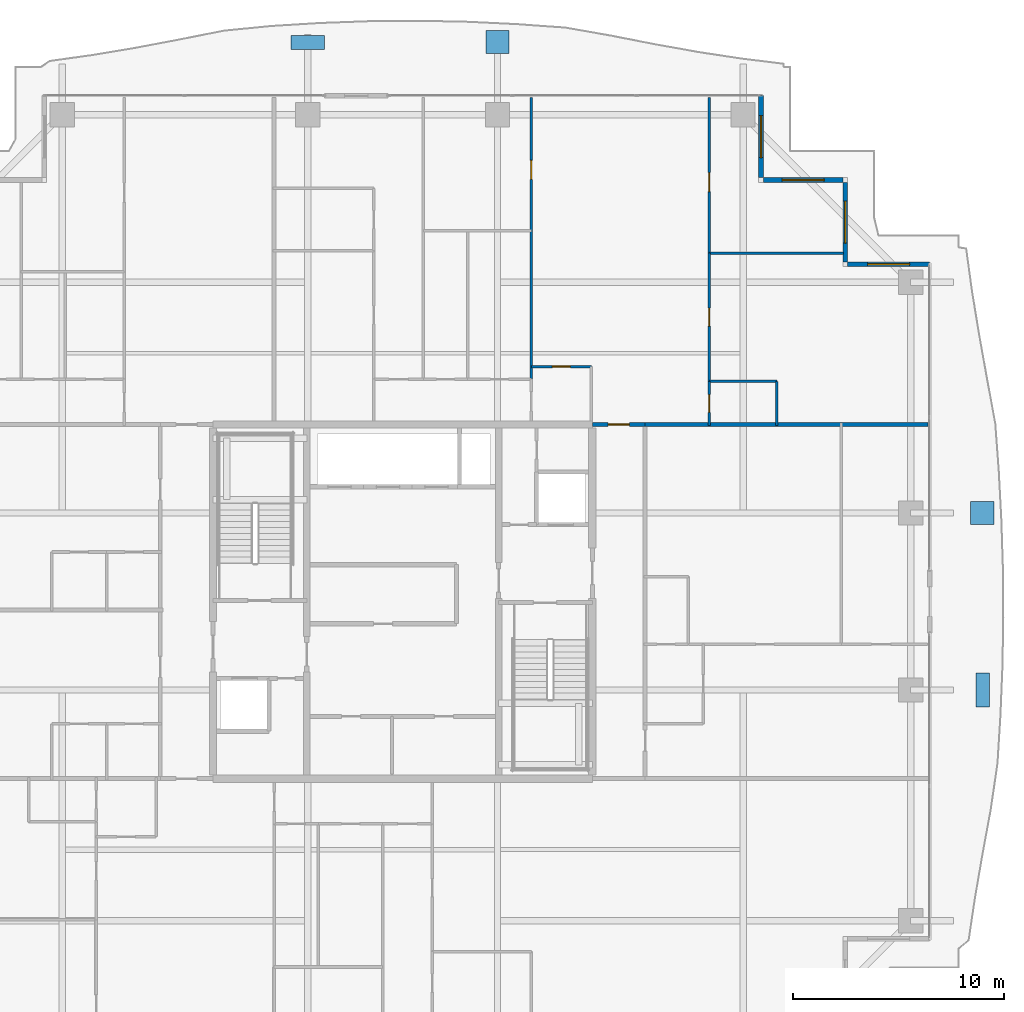
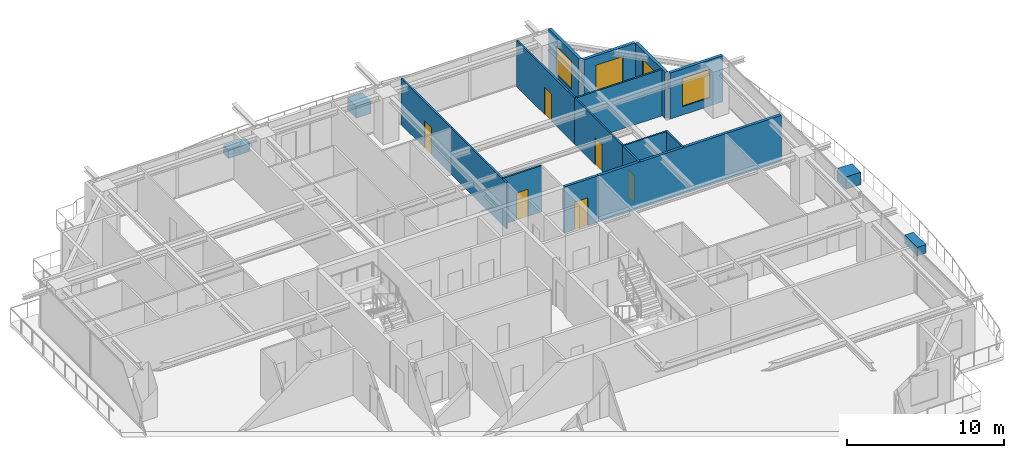
# One storey, part 30 of 37: 15 walls, 6 doors, 4 discrete accessories, 4 windows, 10 openings.
"""IFC4 building model written with IfcOpenShell, lengths in metres."""

from ifc_helpers import new_model, si_unit, direction, frame, frame_2d, origin, origin_2d, place, context, subcontext, project, spatial, rectangle, extrude, source, transform, mapped, material, layer, layer_set, type_object, element, fill, save


model = new_model("IFC4")

# Units and contexts
model_context = context("Model", 3, precision=1e-05, world=origin(), true_north=direction((0.0, 1.0)))
body_context = subcontext(model_context, "Body", "Model", "MODEL_VIEW")
ifc_project = project(units=[si_unit("LENGTHUNIT", "METRE"), si_unit("AREAUNIT", "SQUARE_METRE"), si_unit("VOLUMEUNIT", "CUBIC_METRE"), si_unit("PLANEANGLEUNIT", "RADIAN"), si_unit("MASSUNIT", "GRAM", prefix="KILO")], contexts=[model_context])

# Site, building, storey
site_placement = place(None, origin())
site = spatial("IfcSite", under=ifc_project, at=site_placement, CompositionType="ELEMENT")
building_placement = place(site_placement, origin())
building = spatial("IfcBuilding", under=site, at=building_placement, Name="Serunith Strait Residences", CompositionType="ELEMENT")
storey_placement = place(building_placement, frame((0.0, 0.0, 248.949951171875)))
storey = spatial("IfcBuildingStorey", under=building, at=storey_placement, Name="L62", CompositionType="ELEMENT", Elevation=248.949951171875)

# Wall, opening, window
ifc_material_1 = material(Name="Pale-Champagne Aluminium Insulated Panel", Category="aluminium")
ifc_layer_1 = layer(ifc_material_1, 0.219970703125, Name="Pale-Champagne Aluminium Insulated Panel")
ifc_layer_set_1 = layer_set([ifc_layer_1], Name="Pale-Champagne Aluminium Insulated Panel")
wall_type_1 = type_object("IfcWallType", Name="EW-ALUM-220", PredefinedType="ELEMENTEDWALL", material=ifc_layer_set_1)
wall_1_placement = place(storey_placement, frame((57.39990234375, 41.199951171875, 0.0), z_axis=(0.0, 0.0, 1.0), x_axis=(-1.0, 0.0, 0.0)))
wall_1 = element("IfcWall", 1, at=wall_1_placement, inside=storey, type_object=wall_type_1, Name="L62 Girih Serrated Corner Wall 07", PredefinedType="ELEMENTEDWALL", context=body_context, shape_type="SweptSolid", body=[
    extrude(rectangle(XDim=3.889892578125, YDim=0.219970703125, at=frame_2d((1.94482421875, 0.0))), origin(), (0.0, 0.0, 1.0), 3.574951171875),
])
opening_1_placement = place(wall_1_placement, frame((0.945068359375, 0.0, 0.64990234375)))
opening_1 = element("IfcOpeningElement", 2, at=opening_1_placement, cuts=wall_1, Name="Opening W-04", PredefinedType="OPENING", context=body_context, shape_type="SweptSolid", body=[
    extrude(rectangle(XDim=2.0, YDim=2.199951171875, at=frame_2d((1.0, 1.10009765625))), frame((0.0, 0.1201171875, 0.0), z_axis=(0.0, -1.0, 0.0), x_axis=(1.0, 0.0, 0.0)), (0.0, 0.0, 1.0), 0.239990234375),
])
ifc_material_2 = material(Name="Ceramic-Fritted Operable Aluminium Window Glass", Category="aluminium")
window_type = type_object("IfcWindowType", Name="WIN-C4", PartitioningType="TRIPLE_PANEL_VERTICAL", PredefinedType="WINDOW", material=ifc_material_2)
shared_shape_1 = source(origin(), body_context, "Body", "SweptSolid", [
    extrude(rectangle(XDim=2.0, YDim=2.199951171875, at=frame_2d((1.0, 1.10009765625))), frame((0.0, 0.030029296875, 0.0), z_axis=(0.0, -1.0, 0.0), x_axis=(1.0, 0.0, 0.0)), (0.0, 0.0, 1.0), 0.06005859375),
])
window_1_placement = place(opening_1_placement, origin())
window_1 = element("IfcWindow", 3, at=window_1_placement, inside=storey, type_object=window_type, Name="L62 Corner Operable Fritted Window 07", OverallHeight=2.199951171875, OverallWidth=2.0, PartitioningType="SINGLE_PANEL", PredefinedType="WINDOW", context=body_context, shape_type="MappedRepresentation", body=[
    mapped(shared_shape_1, transform((0.0, 0.0, 0.0), scale=1.0)),
])
fill(opening_1, window_1)

wall_2_placement = place(storey_placement, frame((53.39990234375, 41.31005859375, 0.0), z_axis=(0.0, 0.0, 1.0), x_axis=(0.0, 1.0, 0.0)))
wall_2 = element("IfcWall", 4, at=wall_2_placement, inside=storey, type_object=wall_type_1, Name="L62 Girih Serrated Corner Wall 08", PredefinedType="ELEMENTEDWALL", context=body_context, shape_type="SweptSolid", body=[
    extrude(rectangle(XDim=3.780029296875, YDim=0.219970703125, at=frame_2d((1.89013671875, 0.0))), origin(), (0.0, 0.0, 1.0), 3.574951171875),
])
opening_2_placement = place(wall_2_placement, frame((0.889892578125, 0.0, 0.64990234375)))
opening_2 = element("IfcOpeningElement", 5, at=opening_2_placement, cuts=wall_2, Name="Opening W-04", PredefinedType="OPENING", context=body_context, shape_type="SweptSolid", body=[
    extrude(rectangle(XDim=2.0, YDim=2.199951171875, at=frame_2d((1.0, 1.10009765625))), frame((0.0, 0.1201171875, 0.0), z_axis=(0.0, -1.0, 0.0), x_axis=(1.0, 0.0, 0.0)), (0.0, 0.0, 1.0), 0.239990234375),
])
window_2_placement = place(opening_2_placement, origin())
window_2 = element("IfcWindow", 6, at=window_2_placement, inside=storey, type_object=window_type, Name="L62 Corner Operable Fritted Window 08", OverallHeight=2.199951171875, OverallWidth=2.0, PartitioningType="SINGLE_PANEL", PredefinedType="WINDOW", context=body_context, shape_type="MappedRepresentation", body=[
    mapped(shared_shape_1, transform((0.0, 0.0, 0.0), scale=1.0)),
])
fill(opening_2, window_2)

wall_3_placement = place(storey_placement, frame((53.2900390625, 45.199951171875, 0.0), z_axis=(0.0, 0.0, 1.0), x_axis=(-1.0, 0.0, 0.0)))
wall_3 = element("IfcWall", 7, at=wall_3_placement, inside=storey, type_object=wall_type_1, Name="L62 Girih Serrated Corner Wall 09", PredefinedType="ELEMENTEDWALL", context=body_context, shape_type="SweptSolid", body=[
    extrude(rectangle(XDim=3.780029296875, YDim=0.219970703125, at=frame_2d((1.89013671875, 0.0))), origin(), (0.0, 0.0, 1.0), 3.574951171875),
])
opening_3_placement = place(wall_3_placement, frame((0.889892578125, 0.0, 0.64990234375)))
opening_3 = element("IfcOpeningElement", 8, at=opening_3_placement, cuts=wall_3, Name="Opening W-04", PredefinedType="OPENING", context=body_context, shape_type="SweptSolid", body=[
    extrude(rectangle(XDim=2.0, YDim=2.199951171875, at=frame_2d((1.0, 1.10009765625))), frame((0.0, 0.1201171875, 0.0), z_axis=(0.0, -1.0, 0.0), x_axis=(1.0, 0.0, 0.0)), (0.0, 0.0, 1.0), 0.239990234375),
])
window_3_placement = place(opening_3_placement, origin())
window_3 = element("IfcWindow", 9, at=window_3_placement, inside=storey, type_object=window_type, Name="L62 Corner Operable Fritted Window 09", OverallHeight=2.199951171875, OverallWidth=2.0, PartitioningType="SINGLE_PANEL", PredefinedType="WINDOW", context=body_context, shape_type="MappedRepresentation", body=[
    mapped(shared_shape_1, transform((0.0, 0.0, 0.0), scale=1.0)),
])
fill(opening_3, window_3)

wall_4_placement = place(storey_placement, frame((49.39990234375, 45.31005859375, 0.0), z_axis=(0.0, 0.0, 1.0), x_axis=(0.0, 1.0, 0.0)))
wall_4 = element("IfcWall", 10, at=wall_4_placement, inside=storey, type_object=wall_type_1, Name="L62 Girih Serrated Corner Wall 10", PredefinedType="ELEMENTEDWALL", context=body_context, shape_type="SweptSolid", body=[
    extrude(rectangle(XDim=3.889892578125, YDim=0.219970703125, at=frame_2d((1.94482421875, 0.0))), origin(), (0.0, 0.0, 1.0), 3.574951171875),
])
opening_4_placement = place(wall_4_placement, frame((0.945068359375, 0.0, 0.64990234375)))
opening_4 = element("IfcOpeningElement", 11, at=opening_4_placement, cuts=wall_4, Name="Opening W-04", PredefinedType="OPENING", context=body_context, shape_type="SweptSolid", body=[
    extrude(rectangle(XDim=2.0, YDim=2.199951171875, at=frame_2d((1.0, 1.10009765625))), frame((0.0, 0.1201171875, 0.0), z_axis=(0.0, -1.0, 0.0), x_axis=(1.0, 0.0, 0.0)), (0.0, 0.0, 1.0), 0.239990234375),
])
window_4_placement = place(opening_4_placement, origin())
window_4 = element("IfcWindow", 12, at=window_4_placement, inside=storey, type_object=window_type, Name="L62 Corner Operable Fritted Window 10", OverallHeight=2.199951171875, OverallWidth=2.0, PartitioningType="SINGLE_PANEL", PredefinedType="WINDOW", context=body_context, shape_type="MappedRepresentation", body=[
    mapped(shared_shape_1, transform((0.0, 0.0, 0.0), scale=1.0)),
])
fill(opening_4, window_4)

# Wall, opening, door
ifc_material_3 = material(Name="Fire-rated acoustic gypsum partition")
ifc_layer_2 = layer(ifc_material_3, 0.179931640625, Name="Fire-rated acoustic gypsum partition")
ifc_layer_set_2 = layer_set([ifc_layer_2], Name="Fire-rated acoustic gypsum partition")
wall_type_2 = type_object("IfcWallType", Name="IW-CORR-180", PredefinedType="PARTITIONING", material=ifc_layer_set_2)
wall_5_placement = place(storey_placement, frame((41.402099609375, 33.60009765625, 0.0), z_axis=(0.0, 0.0, 1.0), x_axis=(1.0, 0.0, 0.0)))
wall_5 = element("IfcWall", 13, at=wall_5_placement, inside=storey, type_object=wall_type_2, Name="L62 Partition Wall 028", PredefinedType="PARTITIONING", context=body_context, shape_type="SweptSolid", body=[
    extrude(rectangle(XDim=2.495849609375, YDim=0.179931640625, at=frame_2d((1.248046875, 0.0))), origin(), (0.0, 0.0, 1.0), 3.590087890625),
])
opening_5_placement = place(wall_5_placement, frame((0.748046875, 0.0, 0.0)))
opening_5 = element("IfcOpeningElement", 14, at=opening_5_placement, cuts=wall_5, Name="Opening D-APT1000", PredefinedType="OPENING", context=body_context, shape_type="SweptSolid", body=[
    extrude(rectangle(XDim=1.0, YDim=2.14990234375, at=frame_2d((0.5, 1.074951171875))), frame((0.0, 0.10009765625, 0.0), z_axis=(0.0, -1.0, 0.0), x_axis=(1.0, 0.0, 0.0)), (0.0, 0.0, 1.0), 0.199951171875),
])
ifc_material_4 = material(Name="Solid timber engineered fire door", Category="wood")
door_type_1 = type_object("IfcDoorType", Name="ID-APT-1000", OperationType="NOTDEFINED", PredefinedType="DOOR", material=ifc_material_4)
shared_shape_2 = source(origin(), body_context, "Body", "SweptSolid", [
    extrude(rectangle(XDim=1.0, YDim=2.14990234375, at=frame_2d((0.5, 1.074951171875))), frame((0.0, 0.02490234375, 0.0), z_axis=(0.0, -1.0, 0.0), x_axis=(1.0, 0.0, 0.0)), (0.0, 0.0, 1.0), 0.050048828125),
])
door_1_placement = place(opening_5_placement, origin())
door_1 = element("IfcDoor", 15, at=door_1_placement, inside=storey, type_object=door_type_1, Name="L62 Unit 03 Entrance Door", OperationType="SINGLE_SWING_LEFT", OverallHeight=2.14990234375, OverallWidth=1.0, PredefinedType="DOOR", context=body_context, shape_type="MappedRepresentation", body=[
    mapped(shared_shape_2, transform((0.0, 0.0, 0.0), scale=1.0)),
])
fill(opening_5, door_1)

ifc_material_5 = material(Name="Lightweight steel-stud gypsum partition", Category="steel")
ifc_layer_3 = layer(ifc_material_5, 0.1201171875, Name="Lightweight steel-stud gypsum partition")
ifc_layer_set_3 = layer_set([ifc_layer_3], Name="Lightweight steel-stud gypsum partition")
wall_type_3 = type_object("IfcWallType", Name="IW-PART-120", PredefinedType="PARTITIONING", material=ifc_layer_set_3)
wall_6_placement = place(storey_placement, frame((38.5, 36.35009765625, 0.0), z_axis=(0.0, 0.0, 1.0), x_axis=(1.0, 0.0, 0.0)))
wall_6 = element("IfcWall", 16, at=wall_6_placement, inside=storey, type_object=wall_type_3, Name="L62 Partition Wall 066", PredefinedType="PARTITIONING", context=body_context, shape_type="SweptSolid", body=[
    extrude(rectangle(XDim=2.85009765625, YDim=0.1201171875, at=frame_2d((1.425048828125, 0.0))), origin(), (0.0, 0.0, 1.0), 3.590087890625),
])
opening_6_placement = place(wall_6_placement, frame((1.0, 0.0, 0.0)))
opening_6 = element("IfcOpeningElement", 17, at=opening_6_placement, cuts=wall_6, Name="Opening D-RM850", PredefinedType="OPENING", context=body_context, shape_type="SweptSolid", body=[
    extrude(rectangle(XDim=0.85009765625, YDim=2.10009765625, at=frame_2d((0.425048828125, 1.050048828125))), frame((0.0, 0.070068359375, 0.0), z_axis=(0.0, -1.0, 0.0), x_axis=(1.0, 0.0, 0.0)), (0.0, 0.0, 1.0), 0.14013671875),
])
ifc_material_6 = material(Name="Engineered timber flush study and kitchen door", Category="wood")
door_type_2 = type_object("IfcDoorType", Name="ID-ROOM-850", OperationType="NOTDEFINED", PredefinedType="DOOR", material=ifc_material_6)
shared_shape_3 = source(origin(), body_context, "Body", "SweptSolid", [
    extrude(rectangle(XDim=0.85009765625, YDim=2.10009765625, at=frame_2d((0.425048828125, 1.050048828125))), frame((0.0, 0.02490234375, 0.0), z_axis=(0.0, -1.0, 0.0), x_axis=(1.0, 0.0, 0.0)), (0.0, 0.0, 1.0), 0.050048828125),
])
door_2_placement = place(opening_6_placement, origin())
door_2 = element("IfcDoor", 18, at=door_2_placement, inside=storey, type_object=door_type_2, Name="L62 Kitchen 6203 Door", OperationType="SINGLE_SWING_LEFT", OverallHeight=2.10009765625, OverallWidth=0.85009765625, PredefinedType="DOOR", context=body_context, shape_type="MappedRepresentation", body=[
    mapped(shared_shape_3, transform((0.0, 0.0, 0.0), scale=1.0)),
])
fill(opening_6, door_2)

wall_7_placement = place(storey_placement, frame((38.5, 49.10498046875, 0.0), z_axis=(0.0, 0.0, 1.0), x_axis=(0.0, -1.0, 0.0)))
wall_7 = element("IfcWall", 19, at=wall_7_placement, inside=storey, type_object=wall_type_3, Name="L62 Partition Wall 069", PredefinedType="PARTITIONING", context=body_context, shape_type="SweptSolid", body=[
    extrude(rectangle(XDim=6.31494140625, YDim=0.1201171875, at=frame_2d((3.157470703125, 0.0))), origin(), (0.0, 0.0, 1.0), 3.590087890625),
])
opening_7_placement = place(wall_7_placement, frame((2.97802734375, 0.0, 0.0)))
opening_7 = element("IfcOpeningElement", 20, at=opening_7_placement, cuts=wall_7, Name="Opening D-RM900", PredefinedType="OPENING", context=body_context, shape_type="SweptSolid", body=[
    extrude(rectangle(XDim=0.89990234375, YDim=2.10009765625, at=frame_2d((0.449951171875, 1.050048828125))), frame((0.0, 0.070068359375, 0.0), z_axis=(0.0, -1.0, 0.0), x_axis=(1.0, 0.0, 0.0)), (0.0, 0.0, 1.0), 0.14013671875),
])
ifc_material_7 = material(Name="Engineered timber flush bedroom door", Category="wood")
door_type_3 = type_object("IfcDoorType", Name="ID-ROOM-900", OperationType="NOTDEFINED", PredefinedType="DOOR", material=ifc_material_7)
shared_shape_4 = source(origin(), body_context, "Body", "SweptSolid", [
    extrude(rectangle(XDim=0.89990234375, YDim=2.10009765625, at=frame_2d((0.449951171875, 1.050048828125))), frame((0.0, 0.02490234375, 0.0), z_axis=(0.0, -1.0, 0.0), x_axis=(1.0, 0.0, 0.0)), (0.0, 0.0, 1.0), 0.050048828125),
])
door_3_placement = place(opening_7_placement, origin())
door_3 = element("IfcDoor", 21, at=door_3_placement, inside=storey, type_object=door_type_3, Name="L62 Formal Dining Room 1 6203 Door", OperationType="SINGLE_SWING_LEFT", OverallHeight=2.10009765625, OverallWidth=0.89990234375, PredefinedType="DOOR", context=body_context, shape_type="MappedRepresentation", body=[
    mapped(shared_shape_4, transform((0.0, 0.0, 0.0), scale=1.0)),
])
fill(opening_7, door_3)

# Wall
wall_8_placement = place(storey_placement, frame((38.5, 42.7880859375, 0.0), z_axis=(0.0, 0.0, 1.0), x_axis=(0.0, -1.0, 0.0)))
element("IfcWall", 22, at=wall_8_placement, inside=storey, type_object=wall_type_3, Name="L62 Partition Wall 070", PredefinedType="PARTITIONING", context=body_context, shape_type="SweptSolid", body=[
    extrude(rectangle(XDim=7.0361328125, YDim=0.1201171875, at=frame_2d((3.51806640625, 0.0))), origin(), (0.0, 0.0, 1.0), 3.590087890625),
])

# Wall, opening, door
wall_9_placement = place(storey_placement, frame((46.949951171875, 49.10498046875, 0.0), z_axis=(0.0, 0.0, 1.0), x_axis=(0.0, -1.0, 0.0)))
wall_9 = element("IfcWall", 23, at=wall_9_placement, inside=storey, type_object=wall_type_3, Name="L62 Partition Wall 082", PredefinedType="PARTITIONING", context=body_context, shape_type="SweptSolid", body=[
    extrude(rectangle(XDim=7.373046875, YDim=0.1201171875, at=frame_2d((3.6865234375, 0.0))), origin(), (0.0, 0.0, 1.0), 3.590087890625),
])
opening_8_placement = place(wall_9_placement, frame((3.56005859375, 0.0, 0.0)))
opening_8 = element("IfcOpeningElement", 24, at=opening_8_placement, cuts=wall_9, Name="Opening D-RM900", PredefinedType="OPENING", context=body_context, shape_type="SweptSolid", body=[
    extrude(rectangle(XDim=0.89990234375, YDim=2.10009765625, at=frame_2d((0.449951171875, 1.050048828125))), frame((0.0, 0.070068359375, 0.0), z_axis=(0.0, -1.0, 0.0), x_axis=(1.0, 0.0, 0.0)), (0.0, 0.0, 1.0), 0.14013671875),
])
door_4_placement = place(opening_8_placement, origin())
door_4 = element("IfcDoor", 25, at=door_4_placement, inside=storey, type_object=door_type_3, Name="L62 Bedroom 3 6203 Door", OperationType="SINGLE_SWING_LEFT", OverallHeight=2.10009765625, OverallWidth=0.89990234375, PredefinedType="DOOR", context=body_context, shape_type="MappedRepresentation", body=[
    mapped(shared_shape_4, transform((0.0, 0.0, 0.0), scale=1.0)),
])
fill(opening_8, door_4)

# Walls
wall_10_placement = place(storey_placement, frame((46.949951171875, 41.73193359375, 0.0), z_axis=(0.0, 0.0, 1.0), x_axis=(1.0, 0.0, 0.0)))
element("IfcWall", 26, at=wall_10_placement, inside=storey, type_object=wall_type_3, Name="L62 Partition Wall 083", PredefinedType="PARTITIONING", context=body_context, shape_type="SweptSolid", body=[
    extrude(rectangle(XDim=6.35498046875, YDim=0.1201171875, at=frame_2d((3.177490234375, 0.0))), origin(), (0.0, 0.0, 1.0), 3.590087890625),
])
wall_11_placement = place(storey_placement, frame((46.949951171875, 35.64990234375, 0.0), z_axis=(0.0, 0.0, 1.0), x_axis=(1.0, 0.0, 0.0)))
element("IfcWall", 27, at=wall_11_placement, inside=storey, type_object=wall_type_3, Name="L62 Partition Wall 084", PredefinedType="PARTITIONING", context=body_context, shape_type="SweptSolid", body=[
    extrude(rectangle(XDim=3.199951171875, YDim=0.1201171875, at=frame_2d((1.60009765625, 0.0))), origin(), (0.0, 0.0, 1.0), 3.590087890625),
])
wall_12_placement = place(storey_placement, frame((50.14990234375, 35.64990234375, 0.0), z_axis=(0.0, 0.0, 1.0), x_axis=(0.0, -1.0, 0.0)))
element("IfcWall", 28, at=wall_12_placement, inside=storey, type_object=wall_type_3, Name="L62 Partition Wall 085", PredefinedType="PARTITIONING", context=body_context, shape_type="SweptSolid", body=[
    extrude(rectangle(XDim=2.10986328125, YDim=0.1201171875, at=frame_2d((1.054931640625, 0.0))), origin(), (0.0, 0.0, 1.0), 3.590087890625),
])

# Wall, opening, door
wall_13_placement = place(storey_placement, frame((46.949951171875, 41.72998046875, 0.0), z_axis=(0.0, 0.0, 1.0), x_axis=(0.0, -1.0, 0.0)))
wall_13 = element("IfcWall", 29, at=wall_13_placement, inside=storey, type_object=wall_type_3, Name="L62 Partition Wall 086", PredefinedType="PARTITIONING", context=body_context, shape_type="SweptSolid", body=[
    extrude(rectangle(XDim=6.080078125, YDim=0.1201171875, at=frame_2d((3.0400390625, 0.0))), origin(), (0.0, 0.0, 1.0), 3.590087890625),
])
opening_9_placement = place(wall_13_placement, frame((2.614990234375, 0.0, 0.0)))
opening_9 = element("IfcOpeningElement", 30, at=opening_9_placement, cuts=wall_13, Name="Opening D-RM850", PredefinedType="OPENING", context=body_context, shape_type="SweptSolid", body=[
    extrude(rectangle(XDim=0.85009765625, YDim=2.10009765625, at=frame_2d((0.425048828125, 1.050048828125))), frame((0.0, 0.070068359375, 0.0), z_axis=(0.0, -1.0, 0.0), x_axis=(1.0, 0.0, 0.0)), (0.0, 0.0, 1.0), 0.14013671875),
])
door_5_placement = place(opening_9_placement, origin())
door_5 = element("IfcDoor", 31, at=door_5_placement, inside=storey, type_object=door_type_2, Name="L62 Walk-in Wardrobe 6203 Door", OperationType="SINGLE_SWING_RIGHT", OverallHeight=2.10009765625, OverallWidth=0.85009765625, PredefinedType="DOOR", context=body_context, shape_type="MappedRepresentation", body=[
    mapped(shared_shape_3, transform((0.0, 0.0, 0.0), scale=1.0)),
])
fill(opening_9, door_5)

wall_14_placement = place(storey_placement, frame((46.949951171875, 35.64794921875, 0.0), z_axis=(0.0, 0.0, 1.0), x_axis=(0.0, -1.0, 0.0)))
wall_14 = element("IfcWall", 32, at=wall_14_placement, inside=storey, type_object=wall_type_3, Name="L62 Partition Wall 087", PredefinedType="PARTITIONING", context=body_context, shape_type="SweptSolid", body=[
    extrude(rectangle(XDim=2.10791015625, YDim=0.1201171875, at=frame_2d((1.053955078125, 0.0))), origin(), (0.0, 0.0, 1.0), 3.590087890625),
])
opening_10_placement = place(wall_14_placement, frame((0.62890625, 0.0, 0.0)))
opening_10 = element("IfcOpeningElement", 33, at=opening_10_placement, cuts=wall_14, Name="Opening D-BTH850", PredefinedType="OPENING", context=body_context, shape_type="SweptSolid", body=[
    extrude(rectangle(XDim=0.85009765625, YDim=2.10009765625, at=frame_2d((0.425048828125, 1.050048828125))), frame((0.0, 0.070068359375, 0.0), z_axis=(0.0, -1.0, 0.0), x_axis=(1.0, 0.0, 0.0)), (0.0, 0.0, 1.0), 0.14013671875),
])
ifc_material_8 = material(Name="Moisture-resistant timber bathroom door", Category="wood")
door_type_4 = type_object("IfcDoorType", Name="ID-BATH-850", OperationType="NOTDEFINED", PredefinedType="DOOR", material=ifc_material_8)
door_6_placement = place(opening_10_placement, origin())
door_6 = element("IfcDoor", 34, at=door_6_placement, inside=storey, type_object=door_type_4, Name="L62 Bathroom 6203 Door", OperationType="SINGLE_SWING_LEFT", OverallHeight=2.10009765625, OverallWidth=0.85009765625, PredefinedType="DOOR", context=body_context, shape_type="MappedRepresentation", body=[
    mapped(shared_shape_3, transform((0.0, 0.0, 0.0), scale=1.0)),
])
fill(opening_10, door_6)

# Wall
ifc_material_9 = material(Name="Twin-stud acoustic gypsum board partition")
ifc_layer_4 = layer(ifc_material_9, 0.199951171875, Name="Twin-stud acoustic gypsum board partition")
ifc_layer_set_4 = layer_set([ifc_layer_4], Name="Twin-stud acoustic gypsum board partition")
wall_type_4 = type_object("IfcWallType", Name="IW-PARTY-200", PredefinedType="PARTITIONING", material=ifc_layer_set_4)
wall_15_placement = place(storey_placement, frame((43.89990234375, 33.60009765625, 0.0), z_axis=(0.0, 0.0, 1.0), x_axis=(1.0, 0.0, 0.0)))
element("IfcWall", 35, at=wall_15_placement, inside=storey, type_object=wall_type_4, Name="L62 Partition Wall 023", PredefinedType="PARTITIONING", context=body_context, shape_type="SweptSolid", body=[
    extrude(rectangle(XDim=13.418212890625, YDim=0.199951171875, at=frame_2d((6.708984375, 0.0))), origin(), (0.0, 0.0, 1.0), 3.590087890625),
])

# Discrete accessories
ifc_material_10 = material(Name="GFRC Root-Anchored Structural Planter")
discrete_accessory_type_1 = type_object("IfcDiscreteAccessoryType", Name="ACC-PLANTER-TREE", PredefinedType="USERDEFINED", material=ifc_material_10)
shared_shape_5 = source(origin(), body_context, "Body", "SweptSolid", [
    extrude(rectangle(XDim=1.10009765625, YDim=1.10009765625, at=origin_2d()), origin(), (0.0, 0.0, 1.0), 0.949951171875),
])
for number, where, z_axis, x_axis, name in (
    (36, (36.89990234375, 51.7509765625, -0.0498046875), (0.0, 0.0, 1.0), (-1.0, 0.0, 0.0), "L62 Vertical-Forest Tree Planter 07"),
    (37, (59.896728515625, 29.39990234375, -0.0498046875), (0.0, 0.0, 1.0), (0.0, 1.0, 0.0), "L62 Vertical-Forest Tree Planter 11"),
):
    element("IfcDiscreteAccessory", number, at=place(storey_placement, frame(where, z_axis=z_axis, x_axis=x_axis)), inside=storey, type_object=discrete_accessory_type_1, Name=name, ObjectType="PLANTER", PredefinedType="USERDEFINED", context=body_context, shape_type="MappedRepresentation", body=[
        mapped(shared_shape_5, transform((0.0, 0.0, 0.0), scale=1.0)),
    ])
ifc_material_11 = material(Name="GFRC Irrigated Shrub Trough Planter")
discrete_accessory_type_2 = type_object("IfcDiscreteAccessoryType", Name="ACC-PLANTER-SHRUB", PredefinedType="USERDEFINED", material=ifc_material_11)
shared_shape_6 = source(origin(), body_context, "Body", "SweptSolid", [
    extrude(rectangle(XDim=1.60009765625, YDim=0.64990234375, at=origin_2d()), origin(), (0.0, 0.0, 1.0), 0.64990234375),
])
for number, where, z_axis, x_axis, name in (
    (38, (27.89990234375, 51.7255859375, -0.0498046875), (0.0, 0.0, 1.0), (-1.0, 0.0, 0.0), "L62 Vertical-Forest Shrub Planter 06"),
    (39, (59.919189453125, 21.0, -0.0498046875), (0.0, 0.0, 1.0), (0.0, 1.0, 0.0), "L62 Vertical-Forest Shrub Planter 10"),
):
    element("IfcDiscreteAccessory", number, at=place(storey_placement, frame(where, z_axis=z_axis, x_axis=x_axis)), inside=storey, type_object=discrete_accessory_type_2, Name=name, ObjectType="PLANTER", PredefinedType="USERDEFINED", context=body_context, shape_type="MappedRepresentation", body=[
        mapped(shared_shape_6, transform((0.0, 0.0, 0.0), scale=1.0)),
    ])

save(model, "model.ifc")
